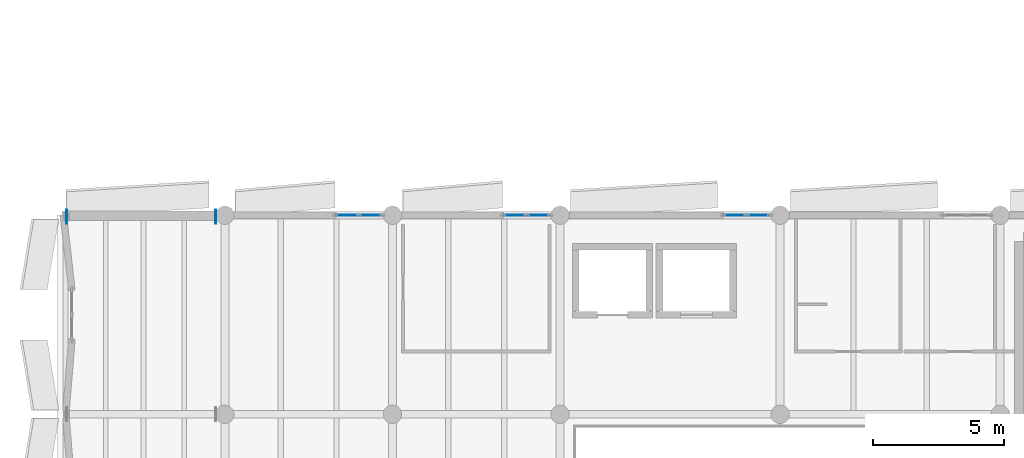
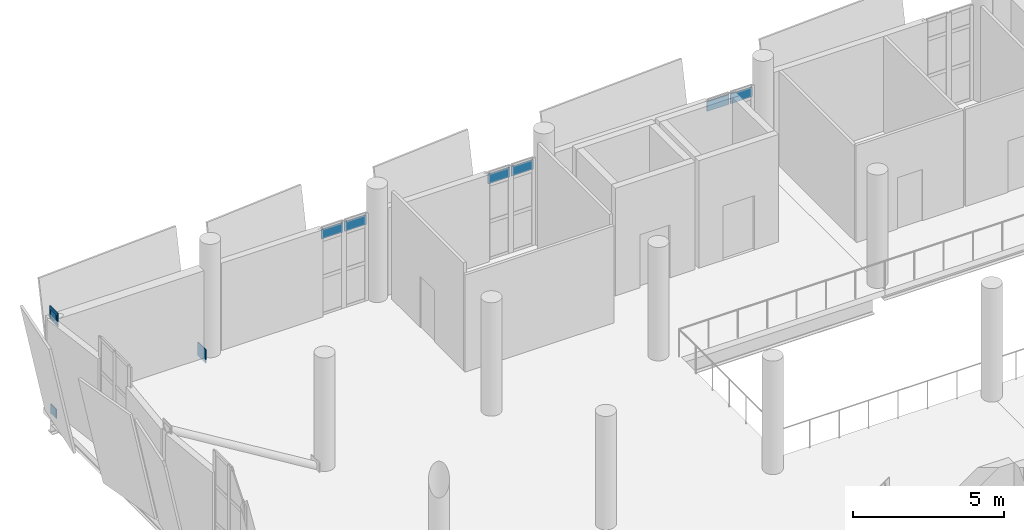
# One storey, part 112 of 136: 10 plates, 3 elements without a shape of their own.
"""IFC4 building model written with IfcOpenShell, lengths in metres."""

from ifc_helpers import new_model, si_unit, direction, frame, origin, origin_2d, place, context, subcontext, project, spatial, rectangle, extrude, material, layer, layer_set, type_object, element, aggregate, save


model = new_model("IFC4")

# Units and contexts
model_context = context("Model", 3, precision=1e-05, world=origin(), true_north=direction((0.0, 1.0)))
body_context = subcontext(model_context, "Body", "Model", "MODEL_VIEW")
ifc_project = project(units=[si_unit("LENGTHUNIT", "METRE"), si_unit("AREAUNIT", "SQUARE_METRE"), si_unit("VOLUMEUNIT", "CUBIC_METRE"), si_unit("PLANEANGLEUNIT", "RADIAN"), si_unit("MASSUNIT", "GRAM", prefix="KILO")], contexts=[model_context])

# Site, building, storey
site_placement = place(None, origin())
site = spatial("IfcSite", under=ifc_project, at=site_placement, CompositionType="ELEMENT")
building_placement = place(site_placement, origin())
building = spatial("IfcBuilding", under=site, at=building_placement, Name="Shengluoqiao Park Theatre", CompositionType="ELEMENT")
storey_placement = place(building_placement, frame((0.0, 0.0, 10.0)))
storey = spatial("IfcBuildingStorey", under=building, at=storey_placement, Name="L02", CompositionType="ELEMENT", Elevation=10.0)

# Curtain wall, plates
ifc_material_1 = material(Name="Aluminium 6063-T6", Category="aluminium")
curtain_wall_type = type_object("IfcCurtainWallType", Name="ENV-CW-FOYER", PredefinedType="NOTDEFINED", material=ifc_material_1)
curtain_wall_1_placement = place(storey_placement, origin())
curtain_wall_1 = element("IfcCurtainWall", 1, at=curtain_wall_1_placement, inside=storey, type_object=curtain_wall_type, Name="L02 Curtain Wall CW-L02-0061", PredefinedType="NOTDEFINED")
ifc_material_2 = material(Name="Insulated glass", Category="glass")
ifc_layer_1 = layer(ifc_material_2, 0.0380859375, Name="Insulated glass")
ifc_layer_set_1 = layer_set([ifc_layer_1], Name="Insulated glass")
plate_type_1 = type_object("IfcPlateType", Name="ENV-GLZ-GL-38", PredefinedType="CURTAIN_PANEL", material=ifc_layer_set_1)
plate_1_placement = place(storey_placement, frame((11.067138671875, 76.0, 3.08251953125), z_axis=(0.0, 0.0, 1.0), x_axis=(1.0, 0.0, 0.0)))
plate_1 = element("IfcPlate", 2, at=plate_1_placement, type_object=plate_type_1, Name="CW-01 panel 1.3", PredefinedType="CURTAIN_PANEL", context=body_context, shape_type="SweptSolid", body=[
    extrude(rectangle(XDim=0.83251953125, YDim=0.0380859375, at=origin_2d()), origin(), (0.0, 0.0, 1.0), 0.390380859375),
])
plate_2_placement = place(storey_placement, frame((11.96484375, 76.0, 3.08251953125), z_axis=(0.0, 0.0, 1.0), x_axis=(1.0, 0.0, 0.0)))
plate_2 = element("IfcPlate", 3, at=plate_2_placement, type_object=plate_type_1, Name="CW-01 panel 2.3", PredefinedType="CURTAIN_PANEL", context=body_context, shape_type="SweptSolid", body=[
    extrude(rectangle(XDim=0.83251953125, YDim=0.0380859375, at=origin_2d()), origin(), (0.0, 0.0, 1.0), 0.390380859375),
])
aggregate(curtain_wall_1, [plate_1, plate_2])

curtain_wall_2_placement = place(storey_placement, origin())
curtain_wall_2 = element("IfcCurtainWall", 4, at=curtain_wall_2_placement, inside=storey, type_object=curtain_wall_type, Name="L02 Curtain Wall CW-L02-0062", PredefinedType="NOTDEFINED")
plate_3_placement = place(storey_placement, frame((17.46728515625, 76.0, 3.08251953125), z_axis=(0.0, 0.0, 1.0), x_axis=(1.0, 0.0, 0.0)))
plate_3 = element("IfcPlate", 5, at=plate_3_placement, type_object=plate_type_1, Name="CW-01 panel 1.3", PredefinedType="CURTAIN_PANEL", context=body_context, shape_type="SweptSolid", body=[
    extrude(rectangle(XDim=0.83251953125, YDim=0.0380859375, at=origin_2d()), origin(), (0.0, 0.0, 1.0), 0.390380859375),
])
plate_4_placement = place(storey_placement, frame((18.36474609375, 76.0, 3.08251953125), z_axis=(0.0, 0.0, 1.0), x_axis=(1.0, 0.0, 0.0)))
plate_4 = element("IfcPlate", 6, at=plate_4_placement, type_object=plate_type_1, Name="CW-01 panel 2.3", PredefinedType="CURTAIN_PANEL", context=body_context, shape_type="SweptSolid", body=[
    extrude(rectangle(XDim=0.83251953125, YDim=0.0380859375, at=origin_2d()), origin(), (0.0, 0.0, 1.0), 0.390380859375),
])
aggregate(curtain_wall_2, [plate_3, plate_4])

curtain_wall_3_placement = place(storey_placement, origin())
curtain_wall_3 = element("IfcCurtainWall", 7, at=curtain_wall_3_placement, inside=storey, type_object=curtain_wall_type, Name="L02 Curtain Wall CW-L02-0063", PredefinedType="NOTDEFINED")
plate_5_placement = place(storey_placement, frame((25.8671875, 76.0, 3.08251953125), z_axis=(0.0, 0.0, 1.0), x_axis=(1.0, 0.0, 0.0)))
plate_5 = element("IfcPlate", 8, at=plate_5_placement, type_object=plate_type_1, Name="CW-01 panel 1.3", PredefinedType="CURTAIN_PANEL", context=body_context, shape_type="SweptSolid", body=[
    extrude(rectangle(XDim=0.83251953125, YDim=0.0380859375, at=origin_2d()), origin(), (0.0, 0.0, 1.0), 0.390380859375),
])
plate_6_placement = place(storey_placement, frame((26.7646484375, 76.0, 3.08251953125), z_axis=(0.0, 0.0, 1.0), x_axis=(1.0, 0.0, 0.0)))
plate_6 = element("IfcPlate", 9, at=plate_6_placement, type_object=plate_type_1, Name="CW-01 panel 2.3", PredefinedType="CURTAIN_PANEL", context=body_context, shape_type="SweptSolid", body=[
    extrude(rectangle(XDim=0.83251953125, YDim=0.0380859375, at=origin_2d()), origin(), (0.0, 0.0, 1.0), 0.390380859375),
])
aggregate(curtain_wall_3, [plate_5, plate_6])

# Plates
ifc_material_3 = material(Name="Steel Q390", Category="steel")
ifc_layer_2 = layer(ifc_material_3, 0.02392578125, Name="Steel Q390")
ifc_layer_set_2 = layer_set([ifc_layer_2], Name="Steel Q390")
plate_type_2 = type_object("IfcPlateType", Name="STR-PLT-EC-360", PredefinedType="SHEET", material=ifc_layer_set_2)
for number, where, z_axis, x_axis, name in (
    (10, (0.360107421875, 75.93994140625, -0.44091796875), (0.0, 0.0, 1.0), (1.0, 0.0, 0.0), "Hollow Tube End Cap Plate 00114"),
    (11, (0.360107421875, 75.93994140625, 3.381103515625), (0.0, 0.0, 1.0), (1.0, 0.0, 0.0), "Hollow Tube End Cap Plate 00115"),
):
    element("IfcPlate", number, at=place(storey_placement, frame(where, z_axis=z_axis, x_axis=x_axis)), inside=storey, type_object=plate_type_2, Name=name, PredefinedType="SHEET", context=body_context, shape_type="SweptSolid", body=[
        extrude(rectangle(XDim=0.02392578125, YDim=0.3798828125, at=origin_2d()), origin(), (0.0, 0.0, 1.0), 0.3798828125),
    ])
ifc_layer_3 = layer(ifc_material_3, 0.033935546875, Name="Steel Q390")
ifc_layer_set_3 = layer_set([ifc_layer_3], Name="Steel Q390")
plate_type_3 = type_object("IfcPlateType", Name="STR-PLT-EC-540", PredefinedType="SHEET", material=ifc_layer_set_3)
for number, where, z_axis, x_axis, name in (
    (12, (6.052978515625, 75.93994140625, -0.142822265625), (0.0, 0.0, 1.0), (-1.0, 0.0, 0.0), "Hollow Tube End Cap Plate 00112"),
    (13, (0.3720703125, 75.93994140625, 3.32275390625), (0.0, 0.0, 1.0), (-1.0, 0.0, 0.0), "Hollow Tube End Cap Plate 00113"),
):
    element("IfcPlate", number, at=place(storey_placement, frame(where, z_axis=z_axis, x_axis=x_axis)), inside=storey, type_object=plate_type_3, Name=name, PredefinedType="SHEET", context=body_context, shape_type="SweptSolid", body=[
        extrude(rectangle(XDim=0.033935546875, YDim=0.5400390625, at=origin_2d()), origin(), (0.0, 0.0, 1.0), 0.5400390625),
    ])

save(model, "model.ifc")
